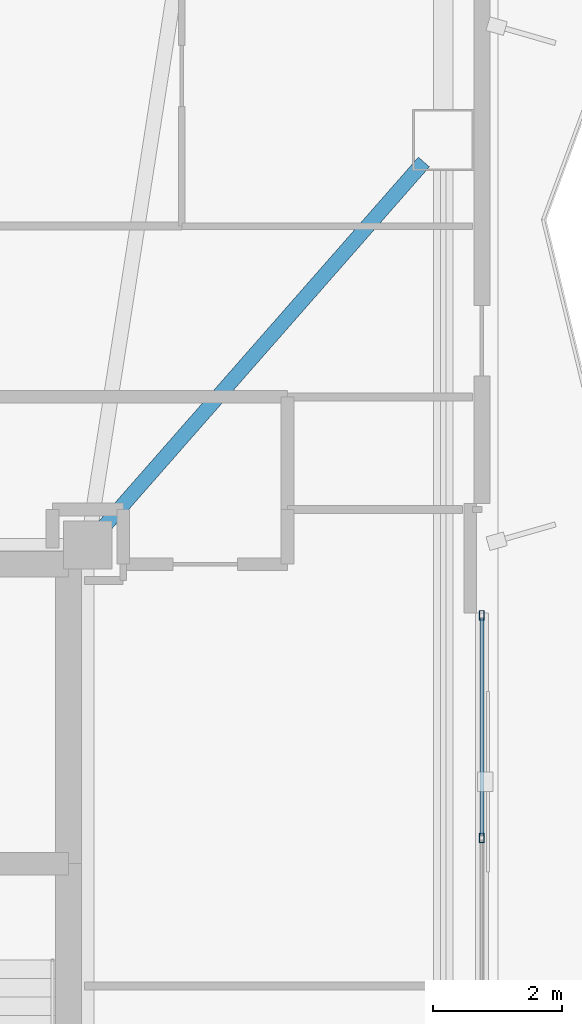
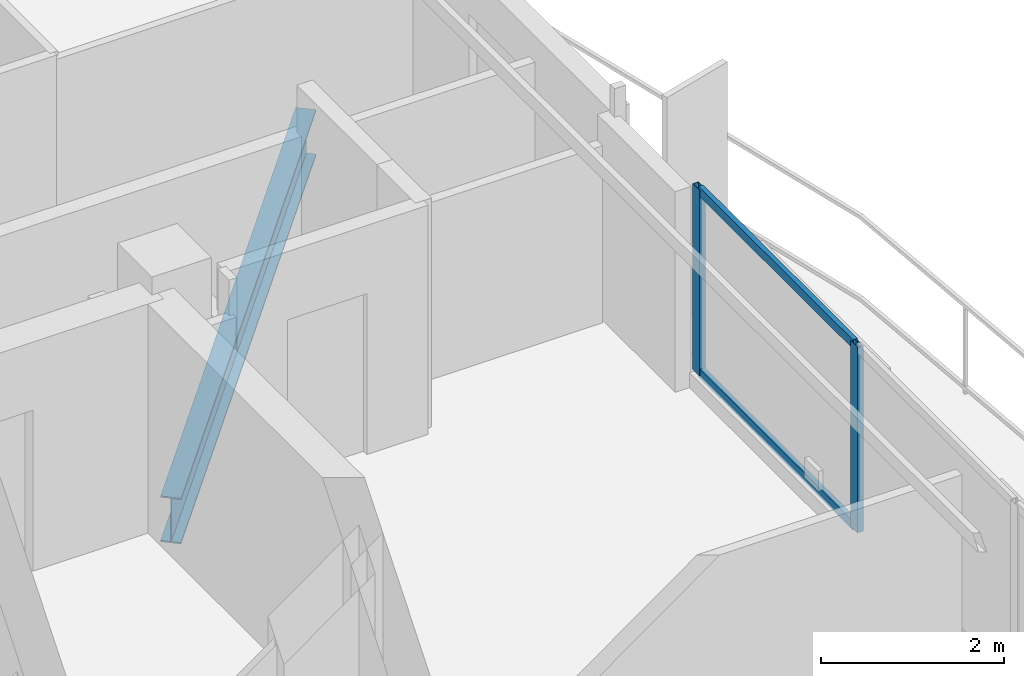
# One storey, part 9 of 19: 4 members, 1 beam, 1 element without a shape of its own.
"""IFC4 building model written with IfcOpenShell, lengths in metres."""

from ifc_helpers import new_model, si_unit, direction, frame, origin, origin_2d, place, context, subcontext, project, spatial, hollow_rectangle, i_section, extrude, material, layer, layer_set, material_profile, profile_set, type_object, element, aggregate, save


model = new_model("IFC4")

# Units and contexts
model_context = context("Model", 3, precision=1e-05, world=origin(), true_north=direction((0.0, 1.0)))
body_context = subcontext(model_context, "Body", "Model", "MODEL_VIEW")
ifc_project = project(units=[si_unit("LENGTHUNIT", "METRE"), si_unit("AREAUNIT", "SQUARE_METRE"), si_unit("VOLUMEUNIT", "CUBIC_METRE"), si_unit("PLANEANGLEUNIT", "RADIAN"), si_unit("MASSUNIT", "GRAM", prefix="KILO")], contexts=[model_context])

# Site, building, storey
site_placement = place(None, origin())
site = spatial("IfcSite", under=ifc_project, at=site_placement, CompositionType="ELEMENT")
building_placement = place(site_placement, origin())
building = spatial("IfcBuilding", under=site, at=building_placement, Name="Mersakhor Tower and Convention Hall", CompositionType="ELEMENT")
storey_placement = place(building_placement, frame((0.0, 0.0, 144.300048828125)))
storey = spatial("IfcBuildingStorey", under=building, at=storey_placement, Name="L40", CompositionType="ELEMENT", Elevation=144.300048828125)

# Beam
ifc_material_1 = material(Name="Steel S355", Category="steel")
ifc_material_profile_1 = material_profile(ifc_material_1, i_section(OverallWidth=0.22900390625, OverallDepth=0.6123046875, WebThickness=0.011962890625, FlangeThickness=0.01953125, at=origin_2d()), Name="UB 610x229x125")
ifc_profile_set_1 = profile_set([ifc_material_profile_1], Name="Steel S355")
beam_type = type_object("IfcBeamType", Name="BM-PR-610", PredefinedType="BEAM", material=ifc_profile_set_1)
beam_placement = place(storey_placement, frame((36.334228515625, 33.31689453125, -0.546142578125), z_axis=(0.65963831109, 0.751583194691, 0.0), x_axis=(-0.751583194691, 0.65963831109, 0.0)))
element("IfcBeam", 1, at=beam_placement, inside=storey, type_object=beam_type, Name="L40 Primary Floor Girder FG-3", PredefinedType="BEAM", context=body_context, shape_type="SweptSolid", body=[
    extrude(i_section(OverallWidth=0.22900390625, OverallDepth=0.6123046875, WebThickness=0.011962890625, FlangeThickness=0.01953125, at=origin_2d()), origin(), (0.0, 0.0, 1.0), 7.556884765625),
])

# Curtain wall, members
ifc_material_2 = material(Name="Dark solar low-E aluminium curtain wall", Category="aluminium")
ifc_layer = layer(ifc_material_2, 0.169921875)
ifc_layer_set = layer_set([ifc_layer], Name="Dark solar low-E aluminium curtain wall")
curtain_wall_type = type_object("IfcCurtainWallType", Name="CW-SYS-02", PredefinedType="USERDEFINED", material=ifc_layer_set)
curtain_wall_placement = place(storey_placement, origin())
curtain_wall = element("IfcCurtainWall", 2, at=curtain_wall_placement, inside=storey, type_object=curtain_wall_type, Name="L40 Dark-Glass Curtain Wall F2-B2", ObjectType="CURTAIN WALL", PredefinedType="USERDEFINED")
ifc_material_3 = material(Name="Anodised aluminium EN AW-6063 T6", Category="aluminium")
ifc_material_profile_2 = material_profile(ifc_material_3, hollow_rectangle(XDim=0.074951171875, YDim=0.14990234375, WallThickness=0.00634765625, at=origin_2d()), Name="RHS 150x75x6.3")
ifc_profile_set_2 = profile_set([ifc_material_profile_2], Name="Anodised aluminium EN AW-6063 T6")
member_type_1 = type_object("IfcMemberType", Name="CWM-150x75", PredefinedType="MULLION", material=ifc_profile_set_2)
member_1_placement = place(storey_placement, frame((42.21923828125, 31.95556640625, 0.199951171875), z_axis=(0.0, 0.0, 1.0), x_axis=(1.0, 0.0, 0.0)))
member_1 = element("IfcMember", 3, at=member_1_placement, type_object=member_type_1, Name="CW-02 mullion 1", PredefinedType="MULLION", context=body_context, shape_type="SweptSolid", body=[
    extrude(hollow_rectangle(XDim=0.074951171875, YDim=0.14990234375, WallThickness=0.00634765625, at=origin_2d()), origin(), (0.0, 0.0, 1.0), 2.47998046875),
])
member_2_placement = place(storey_placement, frame((42.21923828125, 28.49755859375, 0.199951171875), z_axis=(0.0, 0.0, 1.0), x_axis=(1.0, 0.0, 0.0)))
member_2 = element("IfcMember", 4, at=member_2_placement, type_object=member_type_1, Name="CW-02 mullion 2", PredefinedType="MULLION", context=body_context, shape_type="SweptSolid", body=[
    extrude(hollow_rectangle(XDim=0.074951171875, YDim=0.14990234375, WallThickness=0.00634765625, at=origin_2d()), origin(), (0.0, 0.0, 1.0), 2.47998046875),
])
ifc_material_4 = material(Name="Anodised aluminium EN AW-6063 T6", Category="aluminium")
ifc_material_profile_3 = material_profile(ifc_material_4, hollow_rectangle(XDim=0.06005859375, YDim=0.1201171875, WallThickness=0.0048828125, at=origin_2d()), Name="RHS 120x60x5")
ifc_profile_set_3 = profile_set([ifc_material_profile_3], Name="Anodised aluminium EN AW-6063 T6")
member_type_2 = type_object("IfcMemberType", Name="CWT-120x60", PredefinedType="USERDEFINED", material=ifc_profile_set_3)
member_3_placement = place(storey_placement, frame((42.21923828125, 31.91796875, 0.22998046875), z_axis=(0.0, -1.0, 0.0), x_axis=(1.0, 0.0, 0.0)))
member_3 = element("IfcMember", 5, at=member_3_placement, type_object=member_type_2, Name="CW-02 transom 1.1", ObjectType="TRANSOM", PredefinedType="USERDEFINED", context=body_context, shape_type="SweptSolid", body=[
    extrude(hollow_rectangle(XDim=0.06005859375, YDim=0.1201171875, WallThickness=0.0048828125, at=origin_2d()), origin(), (0.0, 0.0, 1.0), 3.3828125),
])
member_4_placement = place(storey_placement, frame((42.21923828125, 31.91796875, 2.64990234375), z_axis=(0.0, -1.0, 0.0), x_axis=(1.0, 0.0, 0.0)))
member_4 = element("IfcMember", 6, at=member_4_placement, type_object=member_type_2, Name="CW-02 transom 1.2", ObjectType="TRANSOM", PredefinedType="USERDEFINED", context=body_context, shape_type="SweptSolid", body=[
    extrude(hollow_rectangle(XDim=0.06005859375, YDim=0.1201171875, WallThickness=0.0048828125, at=origin_2d()), origin(), (0.0, 0.0, 1.0), 3.3828125),
])
aggregate(curtain_wall, [member_1, member_2, member_3, member_4])

save(model, "model.ifc")
